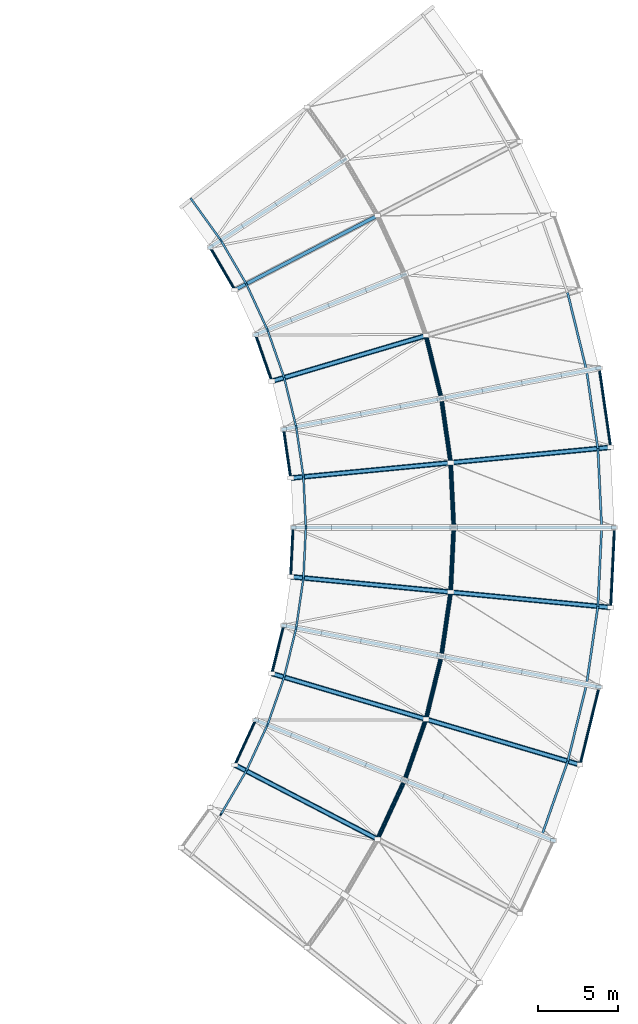
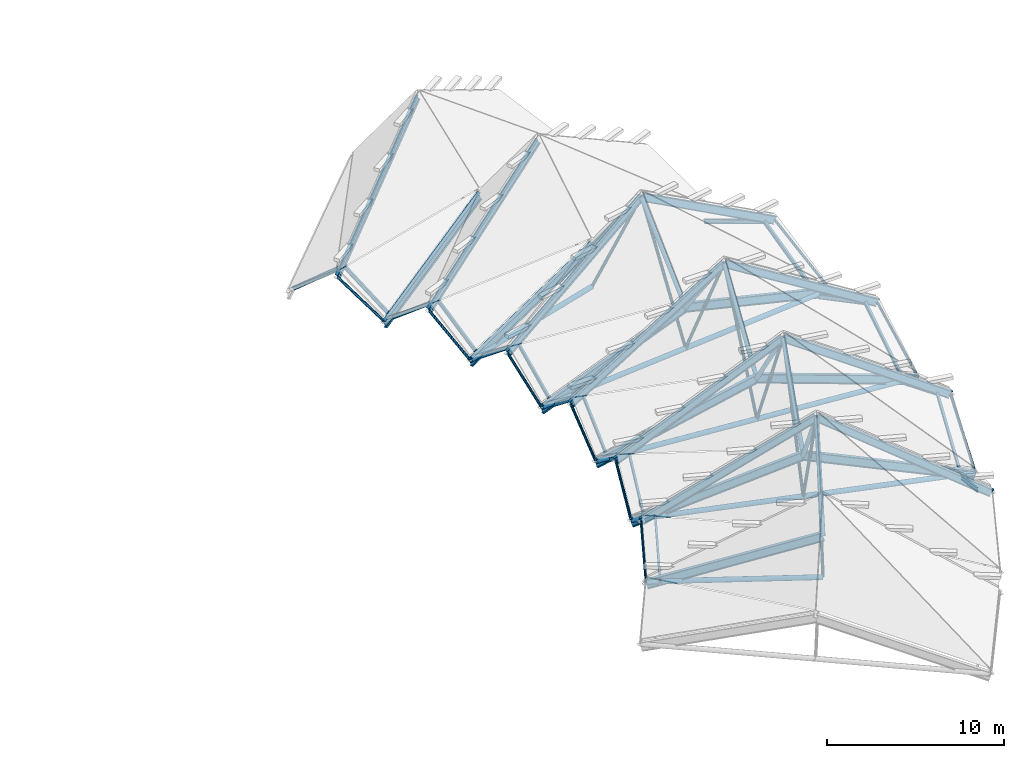
# One storey, part 3 of 10: 53 members, 19 beams.
"""IFC4 building model written with IfcOpenShell, lengths in metres."""

from ifc_helpers import new_model, si_unit, direction, frame, origin, origin_2d, place, context, subcontext, project, spatial, hollow_circle, i_section, extrude, material, material_profile, profile_set, type_object, element, save


model = new_model("IFC4")

# Units and contexts
model_context = context("Model", 3, precision=1e-05, world=origin(), true_north=direction((0.0, 1.0)))
body_context = subcontext(model_context, "Body", "Model", "MODEL_VIEW")
ifc_project = project(units=[si_unit("LENGTHUNIT", "METRE"), si_unit("AREAUNIT", "SQUARE_METRE"), si_unit("VOLUMEUNIT", "CUBIC_METRE"), si_unit("PLANEANGLEUNIT", "RADIAN"), si_unit("MASSUNIT", "GRAM", prefix="KILO")], contexts=[model_context])

# Site, building, storey
site_placement = place(None, origin())
site = spatial("IfcSite", under=ifc_project, at=site_placement, CompositionType="ELEMENT")
building_placement = place(site_placement, origin())
building = spatial("IfcBuilding", under=site, at=building_placement, Name="Vanh Quang Courtyard School", CompositionType="ELEMENT")
storey_placement = place(building_placement, frame((0.0, 0.0, 25.800048828125)))
storey = spatial("IfcBuildingStorey", under=building, at=storey_placement, Name="ROOF", CompositionType="ELEMENT", Elevation=25.800048828125)

# Beams
ifc_material = material(Name="Structural steel EN 10025-2 S355J2", Category="steel")
ifc_material_profile_1 = material_profile(ifc_material, i_section(OverallWidth=0.199951171875, OverallDepth=0.5, WebThickness=0.01025390625, FlangeThickness=0.01611328125, FilletRadius=0.02099609375, at=origin_2d()), Name="IPE 500")
ifc_profile_set_1 = profile_set([ifc_material_profile_1], Name="Structural steel EN 10025-2 S355J2")
beam_type_1 = type_object("IfcBeamType", Name="BM-STL-IPE500", PredefinedType="BEAM", material=ifc_profile_set_1)
beam_1_placement = place(storey_placement, frame((141.669921875, 44.0126953125, -13.880126953125), z_axis=(0.788005023179, -0.318380837761, 0.526955145711), x_axis=(0.374612806373, 0.927181344345, 0.0)))
element("IfcBeam", 1, at=beam_1_placement, inside=storey, type_object=beam_type_1, Name="Beam SB-03 (ROOF)", PredefinedType="BEAM", context=body_context, shape_type="SweptSolid", body=[
    extrude(i_section(OverallWidth=0.199951171875, OverallDepth=0.5, WebThickness=0.01025390625, FlangeThickness=0.01611328125, FilletRadius=0.02099609375, at=origin_2d()), origin(), (0.0, 0.0, 1.0), 11.76611328125),
])
beam_2_placement = place(storey_placement, frame((150.941650390625, 40.2666015625, -7.679931640625), z_axis=(0.788012888057, -0.318375632059, -0.526946529704), x_axis=(0.374604326638, 0.927184770401, 0.0)))
element("IfcBeam", 2, at=beam_2_placement, inside=storey, type_object=beam_type_1, Name="Beam SB-03 (ROOF)", PredefinedType="BEAM", context=body_context, shape_type="SweptSolid", body=[
    extrude(i_section(OverallWidth=0.199951171875, OverallDepth=0.5, WebThickness=0.01025390625, FlangeThickness=0.01611328125, FilletRadius=0.02099609375, at=origin_2d()), origin(), (0.0, 0.0, 1.0), 11.766357421875),
])
beam_3_placement = place(storey_placement, frame((143.412109375, 49.89404296875, -13.880126953125), z_axis=(0.834278959084, -0.162158083549, 0.526956710147), x_axis=(0.190798430308, 0.98162923703, 0.0)))
element("IfcBeam", 3, at=beam_3_placement, inside=storey, type_object=beam_type_1, Name="Beam SB-03 (ROOF)", PredefinedType="BEAM", context=body_context, shape_type="SweptSolid", body=[
    extrude(i_section(OverallWidth=0.199951171875, OverallDepth=0.5, WebThickness=0.01025390625, FlangeThickness=0.01611328125, FilletRadius=0.02099609375, at=origin_2d()), origin(), (0.0, 0.0, 1.0), 11.76611328125),
])
beam_4_placement = place(storey_placement, frame((153.228271484375, 47.986083984375, -7.679931640625), z_axis=(0.834282459153, -0.162175480022, -0.526945815078), x_axis=(0.190817382683, 0.981625553083, 0.0)))
element("IfcBeam", 4, at=beam_4_placement, inside=storey, type_object=beam_type_1, Name="Beam SB-03 (ROOF)", PredefinedType="BEAM", context=body_context, shape_type="SweptSolid", body=[
    extrude(i_section(OverallWidth=0.199951171875, OverallDepth=0.5, WebThickness=0.01025390625, FlangeThickness=0.01611328125, FilletRadius=0.02099609375, at=origin_2d()), origin(), (0.0, 0.0, 1.0), 11.766357421875),
])
for number, where, z_axis, x_axis, name in (
    (5, (144.0, 56.0, -13.880126953125), (0.849895257577, 0.0, 0.526951659214), (0.0, 1.0, 0.0), "Beam SB-03 (ROOF)"),
    (6, (154.0, 56.0, -7.679931640625), (0.849895257577, 0.0, -0.526951659214), (0.0, 1.0, 0.0), "Beam SB-03 (ROOF)"),
    (7, (143.412109375, 62.10595703125, -13.880126953125), (0.834278959084, 0.162158083549, 0.526956710147), (-0.190798430308, 0.98162923703, 0.0), "Beam SB-03 (ROOF)"),
):
    element("IfcBeam", number, at=place(storey_placement, frame(where, z_axis=z_axis, x_axis=x_axis)), inside=storey, type_object=beam_type_1, Name=name, PredefinedType="BEAM", context=body_context, shape_type="SweptSolid", body=[
        extrude(i_section(OverallWidth=0.199951171875, OverallDepth=0.5, WebThickness=0.01025390625, FlangeThickness=0.01611328125, FilletRadius=0.02099609375, at=origin_2d()), origin(), (0.0, 0.0, 1.0), 11.76611328125),
    ])
beam_5_placement = place(storey_placement, frame((153.228271484375, 64.013916015625, -7.679931640625), z_axis=(0.834282459153, 0.162175480022, -0.526945815078), x_axis=(-0.190817382683, 0.981625553083, 0.0)))
element("IfcBeam", 8, at=beam_5_placement, inside=storey, type_object=beam_type_1, Name="Beam SB-03 (ROOF)", PredefinedType="BEAM", context=body_context, shape_type="SweptSolid", body=[
    extrude(i_section(OverallWidth=0.199951171875, OverallDepth=0.5, WebThickness=0.01025390625, FlangeThickness=0.01611328125, FilletRadius=0.02099609375, at=origin_2d()), origin(), (0.0, 0.0, 1.0), 11.766357421875),
])
for number, where, z_axis, x_axis, name in (
    (9, (141.669921875, 67.9873046875, -13.880126953125), (0.788005023179, 0.318380837761, 0.526955145711), (-0.374612806373, 0.927181344345, 0.0), "Beam SB-03 (ROOF)"),
    (10, (138.83740234375, 73.428466796875, -13.880126953125), (0.712785525057, 0.462879002474, 0.526953341708), (-0.544631313678, 0.838675582189, 0.0), "Beam SB-03 (ROOF)"),
):
    element("IfcBeam", number, at=place(storey_placement, frame(where, z_axis=z_axis, x_axis=x_axis)), inside=storey, type_object=beam_type_1, Name=name, PredefinedType="BEAM", context=body_context, shape_type="SweptSolid", body=[
        extrude(i_section(OverallWidth=0.199951171875, OverallDepth=0.5, WebThickness=0.01025390625, FlangeThickness=0.01611328125, FilletRadius=0.02099609375, at=origin_2d()), origin(), (0.0, 0.0, 1.0), 11.76611328125),
    ])
ifc_material_profile_2 = material_profile(ifc_material, i_section(OverallWidth=0.219970703125, OverallDepth=0.60009765625, WebThickness=0.011962890625, FlangeThickness=0.01904296875, FilletRadius=0.02392578125, at=origin_2d()), Name="IPE 600")
ifc_profile_set_2 = profile_set([ifc_material_profile_2], Name="Structural steel EN 10025-2 S355J2")
beam_type_2 = type_object("IfcBeamType", Name="BM-STL-IPE600", PredefinedType="BEAM", material=ifc_profile_set_2)
beam_6_placement = place(storey_placement, frame((140.38427734375, 41.22412109375, -16.080078125), z_axis=(0.849604488458, -0.442270441765, 0.287348341797), x_axis=(0.461743963167, 0.887013253835, 0.0)))
element("IfcBeam", 11, at=beam_6_placement, inside=storey, type_object=beam_type_2, Name="Beam SB-01 (ROOF)", PredefinedType="BEAM", context=body_context, shape_type="SweptSolid", body=[
    extrude(i_section(OverallWidth=0.219970703125, OverallDepth=0.60009765625, WebThickness=0.011962890625, FlangeThickness=0.01904296875, FilletRadius=0.02392578125, at=origin_2d()), origin(), (0.0, 0.0, 1.0), 10.440185546875),
])
beam_7_placement = place(storey_placement, frame((142.68212890625, 46.91162109375, -16.080078125), z_axis=(0.918381194132, -0.272048857069, 0.2873419594), x_axis=(0.284026818135, 0.958816336208, 0.0)))
element("IfcBeam", 12, at=beam_7_placement, inside=storey, type_object=beam_type_2, Name="Beam SB-01 (ROOF)", PredefinedType="BEAM", context=body_context, shape_type="SweptSolid", body=[
    extrude(i_section(OverallWidth=0.219970703125, OverallDepth=0.60009765625, WebThickness=0.011962890625, FlangeThickness=0.01904296875, FilletRadius=0.02392578125, at=origin_2d()), origin(), (0.0, 0.0, 1.0), 10.4404296875),
])
for number, where, z_axis, x_axis, name in (
    (13, (152.2705078125, 44.0712890625, -13.080078125), (0.918383375034, -0.272033045649, -0.287349958303), (0.284011022093, 0.958821015273, 0.0), "Beam SB-01 (ROOF)"),
    (14, (143.852783203125, 52.932861328125, -16.080078125), (0.953417454921, -0.091784933177, 0.287351148759), (0.095826381468, 0.995398063397, 0.0), "Beam SB-01 (ROOF)"),
    (15, (153.806640625, 51.974609375, -13.080078125), (0.953415408287, -0.091808120795, -0.287350531923), (0.095850571558, 0.995395734335, 0.0), "Beam SB-01 (ROOF)"),
    (16, (143.852783203125, 59.067138671875, -16.080078125), (0.953417454921, 0.091784933177, 0.287351148759), (-0.095826381468, 0.995398063397, 0.0), "Beam SB-01 (ROOF)"),
    (17, (153.806640625, 60.025390625, -13.080078125), (0.953415408287, 0.091808120795, -0.287350531923), (-0.095850571558, 0.995395734335, 0.0), "Beam SB-01 (ROOF)"),
):
    element("IfcBeam", number, at=place(storey_placement, frame(where, z_axis=z_axis, x_axis=x_axis)), inside=storey, type_object=beam_type_2, Name=name, PredefinedType="BEAM", context=body_context, shape_type="SweptSolid", body=[
        extrude(i_section(OverallWidth=0.219970703125, OverallDepth=0.60009765625, WebThickness=0.011962890625, FlangeThickness=0.01904296875, FilletRadius=0.02392578125, at=origin_2d()), origin(), (0.0, 0.0, 1.0), 10.440185546875),
    ])
beam_8_placement = place(storey_placement, frame((142.68212890625, 65.08837890625, -16.080078125), z_axis=(0.918381194132, 0.272048857069, 0.2873419594), x_axis=(-0.284026818135, 0.958816336208, 0.0)))
element("IfcBeam", 18, at=beam_8_placement, inside=storey, type_object=beam_type_2, Name="Beam SB-01 (ROOF)", PredefinedType="BEAM", context=body_context, shape_type="SweptSolid", body=[
    extrude(i_section(OverallWidth=0.219970703125, OverallDepth=0.60009765625, WebThickness=0.011962890625, FlangeThickness=0.01904296875, FilletRadius=0.02392578125, at=origin_2d()), origin(), (0.0, 0.0, 1.0), 10.4404296875),
])
beam_9_placement = place(storey_placement, frame((140.38427734375, 70.77587890625, -16.080078125), z_axis=(0.849604488458, 0.442270441765, 0.287348341797), x_axis=(-0.461743963167, 0.887013253835, 0.0)))
element("IfcBeam", 19, at=beam_9_placement, inside=storey, type_object=beam_type_2, Name="Beam SB-01 (ROOF)", PredefinedType="BEAM", context=body_context, shape_type="SweptSolid", body=[
    extrude(i_section(OverallWidth=0.219970703125, OverallDepth=0.60009765625, WebThickness=0.011962890625, FlangeThickness=0.01904296875, FilletRadius=0.02392578125, at=origin_2d()), origin(), (0.0, 0.0, 1.0), 10.440185546875),
])

# Members
ifc_material_profile_3 = material_profile(ifc_material, hollow_circle(Radius=0.084228515625, WallThickness=0.008056640625, at=origin_2d()), Name="CHS 168.3x8")
ifc_profile_set_3 = profile_set([ifc_material_profile_3], Name="Structural steel EN 10025-2 S355J2")
member_type_1 = type_object("IfcMemberType", Name="MEM-BRC-CHS168", PredefinedType="BRACE", material=ifc_profile_set_3)
member_1_placement = place(storey_placement, frame((140.38427734375, 41.22412109375, -15.900146484375), z_axis=(0.349784980615, 0.758686678425, 0.549586200078), x_axis=(-0.908131508853, 0.41868503989, 0.0)))
element("IfcMember", 20, at=member_1_placement, inside=storey, type_object=member_type_1, Name="Structural Member MB-02 (ROOF)", PredefinedType="BRACE", context=body_context, shape_type="SweptSolid", body=[
    extrude(hollow_circle(Radius=0.084228515625, WallThickness=0.008056640625, at=origin_2d()), origin(), (0.0, 0.0, 1.0), 3.675537109375),
])
member_2_placement = place(storey_placement, frame((142.68212890625, 46.91162109375, -15.900146484375), z_axis=(0.198615276813, 0.811466294834, 0.549612976707), x_axis=(-0.971328046376, 0.237743194062, 0.0)))
element("IfcMember", 21, at=member_2_placement, inside=storey, type_object=member_type_1, Name="Structural Member MB-02 (ROOF)", PredefinedType="BRACE", context=body_context, shape_type="SweptSolid", body=[
    extrude(hollow_circle(Radius=0.084228515625, WallThickness=0.008056640625, at=origin_2d()), origin(), (0.0, 0.0, 1.0), 3.67529296875),
])
member_3_placement = place(storey_placement, frame((161.858642578125, 41.231201171875, -15.900146484375), z_axis=(0.22032683093, 0.900355752906, 0.375254054984), x_axis=(-0.971339285113, 0.237697272168, 0.0)))
element("IfcMember", 22, at=member_3_placement, inside=storey, type_object=member_type_1, Name="Structural Member MB-02 (ROOF)", PredefinedType="BRACE", context=body_context, shape_type="SweptSolid", body=[
    extrude(hollow_circle(Radius=0.084228515625, WallThickness=0.008056640625, at=origin_2d()), origin(), (0.0, 0.0, 1.0), 5.383056640625),
])
member_4_placement = place(storey_placement, frame((143.852783203125, 52.932861328125, -15.900146484375), z_axis=(0.040053259631, 0.834476120644, 0.549586517727), x_axis=(-0.998850078222, 0.04794289558, 0.0)))
element("IfcMember", 23, at=member_4_placement, inside=storey, type_object=member_type_1, Name="Structural Member MB-02 (ROOF)", PredefinedType="BRACE", context=body_context, shape_type="SweptSolid", body=[
    extrude(hollow_circle(Radius=0.084228515625, WallThickness=0.008056640625, at=origin_2d()), origin(), (0.0, 0.0, 1.0), 3.675537109375),
])
member_5_placement = place(storey_placement, frame((163.760498046875, 51.01611328125, -15.900146484375), z_axis=(0.044492068474, 0.925852279122, 0.375257262538), x_axis=(-0.998847342173, 0.04799986493, 0.0)))
element("IfcMember", 24, at=member_5_placement, inside=storey, type_object=member_type_1, Name="Structural Member MB-02 (ROOF)", PredefinedType="BRACE", context=body_context, shape_type="SweptSolid", body=[
    extrude(hollow_circle(Radius=0.084228515625, WallThickness=0.008056640625, at=origin_2d()), origin(), (0.0, 0.0, 1.0), 5.383056640625),
])
member_6_placement = place(storey_placement, frame((143.852783203125, 59.067138671875, -15.900146484375), z_axis=(-0.119895869388, 0.826783316496, 0.549594694359), x_axis=(-0.989648328, -0.143513716722, 0.0)))
element("IfcMember", 25, at=member_6_placement, inside=storey, type_object=member_type_1, Name="Structural Member MB-02 (ROOF)", PredefinedType="BRACE", context=body_context, shape_type="SweptSolid", body=[
    extrude(hollow_circle(Radius=0.084228515625, WallThickness=0.008056640625, at=origin_2d()), origin(), (0.0, 0.0, 1.0), 3.675537109375),
])
member_7_placement = place(storey_placement, frame((163.760498046875, 60.98388671875, -15.900146484375), z_axis=(-0.132972609808, 0.91733866937, 0.375243988252), x_axis=(-0.989656773828, -0.143455463532, 0.0)))
element("IfcMember", 26, at=member_7_placement, inside=storey, type_object=member_type_1, Name="Structural Member MB-02 (ROOF)", PredefinedType="BRACE", context=body_context, shape_type="SweptSolid", body=[
    extrude(hollow_circle(Radius=0.084228515625, WallThickness=0.008056640625, at=origin_2d()), origin(), (0.0, 0.0, 1.0), 5.38330078125),
])
for number, where, z_axis, x_axis, name in (
    (27, (142.68212890625, 65.08837890625, -15.900146484375), (-0.275397986198, 0.788730267274, 0.549600322674), (-0.944103532547, -0.329649085897, 0.0), "Structural Member MB-02 (ROOF)"),
    (28, (140.38427734375, 70.77587890625, -15.900146484375), (-0.420857626918, 0.72168846535, 0.549585859393), (-0.863845218035, -0.503757321811, 0.0), "Structural Member MB-02 (ROOF)"),
):
    element("IfcMember", number, at=place(storey_placement, frame(where, z_axis=z_axis, x_axis=x_axis)), inside=storey, type_object=member_type_1, Name=name, PredefinedType="BRACE", context=body_context, shape_type="SweptSolid", body=[
        extrude(hollow_circle(Radius=0.084228515625, WallThickness=0.008056640625, at=origin_2d()), origin(), (0.0, 0.0, 1.0), 3.675537109375),
    ])
ifc_material_profile_4 = material_profile(ifc_material, hollow_circle(Radius=0.096923828125, WallThickness=0.010009765625, at=origin_2d()), Name="CHS 193.7x10")
ifc_profile_set_4 = profile_set([ifc_material_profile_4], Name="Structural steel EN 10025-2 S355J2")
member_type_2 = type_object("IfcMemberType", Name="MEM-BRC-CHS193", PredefinedType="BRACE", material=ifc_profile_set_4)
for number, where, z_axis, x_axis, name in (
    (29, (149.25439453125, 36.606689453125, -15.900146484375), (0.184299171893, 0.399772664714, 0.897895111796), (-0.908141922232, 0.418662452441, 0.0), "Structural Member MB-01 (ROOF)"),
    (30, (152.2705078125, 44.0712890625, -15.900146484375), (-0.145151507453, -0.41558719312, 0.897896611419), (0.944073490245, -0.329735113411, 0.0), "Structural Member MB-01 (ROOF)"),
    (31, (152.2705078125, 44.0712890625, -15.900146484375), (0.104615935131, 0.427610634676, 0.897888997164), (-0.971352411821, 0.237643624046, 0.0), "Structural Member MB-01 (ROOF)"),
    (32, (153.806640625, 51.974609375, -15.900146484375), (-0.063174936481, -0.435664388893, 0.897889451798), (0.989649255601, -0.14350731998, 0.0), "Structural Member MB-01 (ROOF)"),
    (33, (153.806640625, 51.974609375, -15.900146484375), (0.02112074866, 0.439695585746, 0.897898494181), (-0.99884831516, 0.047979613392, 0.0), "Structural Member MB-01 (ROOF)"),
    (34, (153.806640625, 60.025390625, -15.900146484375), (0.02112074866, -0.439695585746, 0.897898494181), (0.99884831516, 0.047979613392, 0.0), "Structural Member MB-01 (ROOF)"),
    (35, (153.806640625, 60.025390625, -15.900146484375), (-0.063174936481, 0.435664388893, 0.897889451798), (-0.989649255601, -0.14350731998, 0.0), "Structural Member MB-01 (ROOF)"),
    (36, (152.2705078125, 67.9287109375, -15.900146484375), (0.104615935131, -0.427610634676, 0.897888997164), (0.971352411821, 0.237643624046, 0.0), "Structural Member MB-01 (ROOF)"),
):
    element("IfcMember", number, at=place(storey_placement, frame(where, z_axis=z_axis, x_axis=x_axis)), inside=storey, type_object=member_type_2, Name=name, PredefinedType="BRACE", context=body_context, shape_type="SweptSolid", body=[
        extrude(hollow_circle(Radius=0.096923828125, WallThickness=0.010009765625, at=origin_2d()), origin(), (0.0, 0.0, 1.0), 9.155029296875),
    ])
ifc_material_profile_5 = material_profile(ifc_material, hollow_circle(Radius=0.136474609375, WallThickness=0.012451171875, at=origin_2d()), Name="CHS 273x12.5")
ifc_profile_set_5 = profile_set([ifc_material_profile_5], Name="Structural steel EN 10025-2 S355J2")
member_type_3 = type_object("IfcMemberType", Name="MEM-CHD-CHS273", PredefinedType="CHORD", material=ifc_profile_set_5)
for number, where, z_axis, x_axis, name in (
    (37, (149.25439453125, 36.606689453125, -13.080078125), (0.250401482381, 0.543158533118, 0.801422426391), (-0.908141922232, 0.418662452441, 0.0), "Structural Member MC-02 (ROOF)"),
    (38, (150.941650390625, 40.2666015625, -7.679931640625), (0.197213061878, 0.564646032758, -0.801424897239), (-0.944073490245, 0.329735113411, 0.0), "Structural Member MC-02 (ROOF)"),
    (39, (152.2705078125, 44.0712890625, -13.080078125), (0.142137558476, 0.580977759409, 0.801412351753), (-0.971352411821, 0.237643624046, 0.0), "Structural Member MC-02 (ROOF)"),
    (40, (153.228271484375, 47.986083984375, -7.679931640625), (0.085833339474, 0.591920332204, -0.801413100815), (-0.989649255601, 0.14350731998, 0.0), "Structural Member MC-02 (ROOF)"),
):
    element("IfcMember", number, at=place(storey_placement, frame(where, z_axis=z_axis, x_axis=x_axis)), inside=storey, type_object=member_type_3, Name=name, PredefinedType="CHORD", context=body_context, shape_type="SweptSolid", body=[
        extrude(hollow_circle(Radius=0.136474609375, WallThickness=0.012451171875, at=origin_2d()), origin(), (0.0, 0.0, 1.0), 6.73828125),
    ])
for number, where, z_axis, x_axis, name in (
    (41, (153.806640625, 51.974609375, -13.080078125), (0.02869618769, 0.597402452812, 0.801427999378), (-0.99884831516, 0.047979613392, 0.0), "Structural Member MC-02 (ROOF)"),
    (42, (154.0, 56.0, -7.679931640625), (-0.02869618769, 0.597402452812, -0.801427999378), (-0.99884831516, -0.047979613392, 0.0), "Structural Member MC-02 (ROOF)"),
):
    element("IfcMember", number, at=place(storey_placement, frame(where, z_axis=z_axis, x_axis=x_axis)), inside=storey, type_object=member_type_3, Name=name, PredefinedType="CHORD", context=body_context, shape_type="SweptSolid", body=[
        extrude(hollow_circle(Radius=0.136474609375, WallThickness=0.012451171875, at=origin_2d()), origin(), (0.0, 0.0, 1.0), 6.738037109375),
    ])
for number, where, z_axis, x_axis, name in (
    (43, (153.806640625, 60.025390625, -13.080078125), (-0.085833339474, 0.591920332204, 0.801413100815), (-0.989649255601, -0.14350731998, 0.0), "Structural Member MC-02 (ROOF)"),
    (44, (153.228271484375, 64.013916015625, -7.679931640625), (-0.142137558476, 0.580977759409, -0.801412351753), (-0.971352411821, -0.237643624046, 0.0), "Structural Member MC-02 (ROOF)"),
):
    element("IfcMember", number, at=place(storey_placement, frame(where, z_axis=z_axis, x_axis=x_axis)), inside=storey, type_object=member_type_3, Name=name, PredefinedType="CHORD", context=body_context, shape_type="SweptSolid", body=[
        extrude(hollow_circle(Radius=0.136474609375, WallThickness=0.012451171875, at=origin_2d()), origin(), (0.0, 0.0, 1.0), 6.73828125),
    ])
ifc_material_profile_6 = material_profile(ifc_material, hollow_circle(Radius=0.161865234375, WallThickness=0.012451171875, at=origin_2d()), Name="CHS 323.9x12.5")
ifc_profile_set_6 = profile_set([ifc_material_profile_6], Name="Structural steel EN 10025-2 S355J2")
member_type_4 = type_object("IfcMemberType", Name="MEM-CHD-CHS323", PredefinedType="CHORD", material=ifc_profile_set_6)
member_8_placement = place(storey_placement, frame((140.38427734375, 41.22412109375, -15.900146484375), z_axis=(0.887013253835, -0.461743963167, 0.0), x_axis=(0.461743963167, 0.887013253835, 0.0)))
element("IfcMember", 45, at=member_8_placement, inside=storey, type_object=member_type_4, Name="Structural Member MC-01 (ROOF)", PredefinedType="CHORD", context=body_context, shape_type="SweptSolid", body=[
    extrude(hollow_circle(Radius=0.161865234375, WallThickness=0.012451171875, at=origin_2d()), origin(), (0.0, 0.0, 1.0), 10.0),
])
member_9_placement = place(storey_placement, frame((142.68212890625, 46.91162109375, -15.900146484375), z_axis=(0.958816336208, -0.284026818135, 0.0), x_axis=(0.284026818135, 0.958816336208, 0.0)))
element("IfcMember", 46, at=member_9_placement, inside=storey, type_object=member_type_4, Name="Structural Member MC-01 (ROOF)", PredefinedType="CHORD", context=body_context, shape_type="SweptSolid", body=[
    extrude(hollow_circle(Radius=0.161865234375, WallThickness=0.012451171875, at=origin_2d()), origin(), (0.0, 0.0, 1.0), 10.000244140625),
])
member_10_placement = place(storey_placement, frame((152.2705078125, 44.0712890625, -15.900146484375), z_axis=(0.958821015273, -0.284011022093, 0.0), x_axis=(0.284011022093, 0.958821015273, 0.0)))
element("IfcMember", 47, at=member_10_placement, inside=storey, type_object=member_type_4, Name="Structural Member MC-01 (ROOF)", PredefinedType="CHORD", context=body_context, shape_type="SweptSolid", body=[
    extrude(hollow_circle(Radius=0.161865234375, WallThickness=0.012451171875, at=origin_2d()), origin(), (0.0, 0.0, 1.0), 10.0),
])
member_11_placement = place(storey_placement, frame((143.852783203125, 52.932861328125, -15.900146484375), z_axis=(0.995398063397, -0.095826381468, 0.0), x_axis=(0.095826381468, 0.995398063397, 0.0)))
element("IfcMember", 48, at=member_11_placement, inside=storey, type_object=member_type_4, Name="Structural Member MC-01 (ROOF)", PredefinedType="CHORD", context=body_context, shape_type="SweptSolid", body=[
    extrude(hollow_circle(Radius=0.161865234375, WallThickness=0.012451171875, at=origin_2d()), origin(), (0.0, 0.0, 1.0), 9.999755859375),
])
member_12_placement = place(storey_placement, frame((153.806640625, 51.974609375, -15.900146484375), z_axis=(0.995395734335, -0.095850571558, 0.0), x_axis=(0.095850571558, 0.995395734335, 0.0)))
element("IfcMember", 49, at=member_12_placement, inside=storey, type_object=member_type_4, Name="Structural Member MC-01 (ROOF)", PredefinedType="CHORD", context=body_context, shape_type="SweptSolid", body=[
    extrude(hollow_circle(Radius=0.161865234375, WallThickness=0.012451171875, at=origin_2d()), origin(), (0.0, 0.0, 1.0), 10.0),
])
member_13_placement = place(storey_placement, frame((143.852783203125, 59.067138671875, -15.900146484375), z_axis=(0.995398063397, 0.095826381468, 0.0), x_axis=(-0.095826381468, 0.995398063397, 0.0)))
element("IfcMember", 50, at=member_13_placement, inside=storey, type_object=member_type_4, Name="Structural Member MC-01 (ROOF)", PredefinedType="CHORD", context=body_context, shape_type="SweptSolid", body=[
    extrude(hollow_circle(Radius=0.161865234375, WallThickness=0.012451171875, at=origin_2d()), origin(), (0.0, 0.0, 1.0), 9.999755859375),
])
member_14_placement = place(storey_placement, frame((153.806640625, 60.025390625, -15.900146484375), z_axis=(0.995395734335, 0.095850571558, 0.0), x_axis=(-0.095850571558, 0.995395734335, 0.0)))
element("IfcMember", 51, at=member_14_placement, inside=storey, type_object=member_type_4, Name="Structural Member MC-01 (ROOF)", PredefinedType="CHORD", context=body_context, shape_type="SweptSolid", body=[
    extrude(hollow_circle(Radius=0.161865234375, WallThickness=0.012451171875, at=origin_2d()), origin(), (0.0, 0.0, 1.0), 10.0),
])
member_15_placement = place(storey_placement, frame((142.68212890625, 65.08837890625, -15.900146484375), z_axis=(0.958816336208, 0.284026818135, 0.0), x_axis=(-0.284026818135, 0.958816336208, 0.0)))
element("IfcMember", 52, at=member_15_placement, inside=storey, type_object=member_type_4, Name="Structural Member MC-01 (ROOF)", PredefinedType="CHORD", context=body_context, shape_type="SweptSolid", body=[
    extrude(hollow_circle(Radius=0.161865234375, WallThickness=0.012451171875, at=origin_2d()), origin(), (0.0, 0.0, 1.0), 10.000244140625),
])
ifc_material_profile_7 = material_profile(ifc_material, i_section(OverallWidth=0.1201171875, OverallDepth=0.239990234375, WebThickness=0.006103515625, FlangeThickness=0.009765625, FilletRadius=0.014892578125, at=origin_2d()), Name="IPE 240")
ifc_profile_set_7 = profile_set([ifc_material_profile_7], Name="Structural steel EN 10025-2 S355J2")
member_type_5 = type_object("IfcMemberType", Name="MEM-PRL-IPE240", PredefinedType="PURLIN", material=ifc_profile_set_7)
member_16_placement = place(storey_placement, frame((139.50830078125, 38.135986328125, -13.60400390625), z_axis=(0.395982546328, 0.678870770341, -0.618330251711), x_axis=(-0.863792968491, 0.503846908877, 0.0)))
element("IfcMember", 53, at=member_16_placement, inside=storey, type_object=member_type_5, Name="Structural Member MP-01 (ROOF)", PredefinedType="PURLIN", context=body_context, shape_type="SweptSolid", body=[
    extrude(i_section(OverallWidth=0.1201171875, OverallDepth=0.239990234375, WebThickness=0.006103515625, FlangeThickness=0.009765625, FilletRadius=0.014892578125, at=origin_2d()), origin(), (0.0, 0.0, 1.0), 4.00439453125),
])
for number, where, z_axis, x_axis, name in (
    (54, (141.093994140625, 40.8544921875, -16.080078125), (0.329021125784, 0.713763079613, 0.618293914711), (-0.908156796232, 0.418630186989, 0.0), "Structural Member MP-01 (ROOF)"),
    (55, (142.41162109375, 43.712890625, -13.60400390625), (0.259100150979, 0.742001867663, -0.618304407349), (-0.944096347252, 0.329669663612, 0.0), "Structural Member MP-01 (ROOF)"),
    (56, (143.44921875, 46.684326171875, -16.080078125), (0.186857290771, 0.763401955964, 0.618305593147), (-0.971326198751, 0.237750742627, 0.0), "Structural Member MP-01 (ROOF)"),
    (57, (144.197509765625, 49.741455078125, -13.60400390625), (0.112725980491, 0.7778031688, -0.618316329986), (-0.98966043942, 0.14343017342, 0.0), "Structural Member MP-01 (ROOF)"),
    (58, (144.64892578125, 52.856201171875, -16.080078125), (0.037736855919, 0.785036338715, 0.618299180496), (-0.998846626286, 0.048014759779, 0.0), "Structural Member MP-01 (ROOF)"),
    (59, (144.800048828125, 56.0, -13.60400390625), (-0.037736855919, 0.785036338715, -0.618299180496), (-0.998846626286, -0.048014759779, 0.0), "Structural Member MP-01 (ROOF)"),
    (60, (144.64892578125, 59.143798828125, -16.080078125), (-0.112725980491, 0.7778031688, 0.618316329986), (-0.98966043942, -0.14343017342, 0.0), "Structural Member MP-01 (ROOF)"),
    (61, (144.197509765625, 62.258544921875, -13.60400390625), (-0.186857290771, 0.763401955964, -0.618305593147), (-0.971326198751, -0.237750742627, 0.0), "Structural Member MP-01 (ROOF)"),
    (62, (143.44921875, 65.315673828125, -16.080078125), (-0.259100150979, 0.742001867663, 0.618304407349), (-0.944096347252, -0.329669663612, 0.0), "Structural Member MP-01 (ROOF)"),
    (63, (142.41162109375, 68.287109375, -13.60400390625), (-0.329021125784, 0.713763079613, -0.618293914711), (-0.908156796232, -0.418630186989, 0.0), "Structural Member MP-01 (ROOF)"),
):
    element("IfcMember", number, at=place(storey_placement, frame(where, z_axis=z_axis, x_axis=x_axis)), inside=storey, type_object=member_type_5, Name=name, PredefinedType="PURLIN", context=body_context, shape_type="SweptSolid", body=[
        extrude(i_section(OverallWidth=0.1201171875, OverallDepth=0.239990234375, WebThickness=0.006103515625, FlangeThickness=0.009765625, FilletRadius=0.014892578125, at=origin_2d()), origin(), (0.0, 0.0, 1.0), 4.004638671875),
    ])
member_17_placement = place(storey_placement, frame((141.093994140625, 71.1455078125, -16.080078125), z_axis=(-0.395982546328, 0.678870770341, 0.618330251711), x_axis=(-0.863792968491, -0.503846908877, 0.0)))
element("IfcMember", 64, at=member_17_placement, inside=storey, type_object=member_type_5, Name="Structural Member MP-01 (ROOF)", PredefinedType="PURLIN", context=body_context, shape_type="SweptSolid", body=[
    extrude(i_section(OverallWidth=0.1201171875, OverallDepth=0.239990234375, WebThickness=0.006103515625, FlangeThickness=0.009765625, FilletRadius=0.014892578125, at=origin_2d()), origin(), (0.0, 0.0, 1.0), 4.00439453125),
])
member_18_placement = place(storey_placement, frame((139.50830078125, 73.864013671875, -13.60400390625), z_axis=(-0.459130084355, 0.6378805036, -0.618310624822), x_axis=(-0.811621139632, -0.58418415393, 0.0)))
element("IfcMember", 65, at=member_18_placement, inside=storey, type_object=member_type_5, Name="Structural Member MP-01 (ROOF)", PredefinedType="PURLIN", context=body_context, shape_type="SweptSolid", body=[
    extrude(i_section(OverallWidth=0.1201171875, OverallDepth=0.239990234375, WebThickness=0.006103515625, FlangeThickness=0.009765625, FilletRadius=0.014892578125, at=origin_2d()), origin(), (0.0, 0.0, 1.0), 4.004638671875),
])
ifc_material_profile_8 = material_profile(ifc_material, i_section(OverallWidth=0.135009765625, OverallDepth=0.27001953125, WebThickness=0.006591796875, FlangeThickness=0.01025390625, FilletRadius=0.014892578125, at=origin_2d()), Name="IPE 270")
ifc_profile_set_8 = profile_set([ifc_material_profile_8], Name="Structural steel EN 10025-2 S355J2")
member_type_6 = type_object("IfcMemberType", Name="MEM-PRL-IPE270", PredefinedType="PURLIN", material=ifc_profile_set_8)
member_19_placement = place(storey_placement, frame((159.4716796875, 36.8203125, -13.60400390625), z_axis=(0.294436344713, 0.843059785509, -0.45006381433), x_axis=(-0.944079717915, 0.32971728226, 0.0)))
element("IfcMember", 66, at=member_19_placement, inside=storey, type_object=member_type_6, Name="Structural Member MP-02 (ROOF)", PredefinedType="PURLIN", context=body_context, shape_type="SweptSolid", body=[
    extrude(i_section(OverallWidth=0.135009765625, OverallDepth=0.27001953125, WebThickness=0.006591796875, FlangeThickness=0.01025390625, FilletRadius=0.014892578125, at=origin_2d()), origin(), (0.0, 0.0, 1.0), 5.501708984375),
])
member_20_placement = place(storey_placement, frame((161.091552734375, 41.45849609375, -16.080078125), z_axis=(0.21225657129, 0.867398482634, 0.450074460804), x_axis=(-0.97134064448, 0.237691717106, 0.0)))
element("IfcMember", 67, at=member_20_placement, inside=storey, type_object=member_type_6, Name="Structural Member MP-02 (ROOF)", PredefinedType="PURLIN", context=body_context, shape_type="SweptSolid", body=[
    extrude(i_section(OverallWidth=0.135009765625, OverallDepth=0.27001953125, WebThickness=0.006591796875, FlangeThickness=0.01025390625, FilletRadius=0.014892578125, at=origin_2d()), origin(), (0.0, 0.0, 1.0), 5.50146484375),
])
member_21_placement = place(storey_placement, frame((162.25927734375, 46.23046875, -13.60400390625), z_axis=(0.128153483735, 0.883762043651, -0.450045925221), x_axis=(-0.989649146742, 0.143508070686, 0.0)))
element("IfcMember", 68, at=member_21_placement, inside=storey, type_object=member_type_6, Name="Structural Member MP-02 (ROOF)", PredefinedType="PURLIN", context=body_context, shape_type="SweptSolid", body=[
    extrude(i_section(OverallWidth=0.135009765625, OverallDepth=0.27001953125, WebThickness=0.006591796875, FlangeThickness=0.01025390625, FilletRadius=0.014892578125, at=origin_2d()), origin(), (0.0, 0.0, 1.0), 5.501708984375),
])
for number, where, z_axis, x_axis, name in (
    (69, (162.96435546875, 51.0927734375, -16.080078125), (0.042823323641, 0.891967673765, 0.450066474991), (-0.998849510827, 0.047954715321, 0.0), "Structural Member MP-02 (ROOF)"),
    (70, (163.199951171875, 56.0, -13.60400390625), (-0.042823323641, 0.891967673765, -0.450066474991), (-0.998849510827, -0.047954715321, 0.0), "Structural Member MP-02 (ROOF)"),
):
    element("IfcMember", number, at=place(storey_placement, frame(where, z_axis=z_axis, x_axis=x_axis)), inside=storey, type_object=member_type_6, Name=name, PredefinedType="PURLIN", context=body_context, shape_type="SweptSolid", body=[
        extrude(i_section(OverallWidth=0.135009765625, OverallDepth=0.27001953125, WebThickness=0.006591796875, FlangeThickness=0.01025390625, FilletRadius=0.014892578125, at=origin_2d()), origin(), (0.0, 0.0, 1.0), 5.50146484375),
    ])
member_22_placement = place(storey_placement, frame((162.96435546875, 60.9072265625, -16.080078125), z_axis=(-0.128153483735, 0.883762043651, 0.450045925221), x_axis=(-0.989649146742, -0.143508070686, 0.0)))
element("IfcMember", 71, at=member_22_placement, inside=storey, type_object=member_type_6, Name="Structural Member MP-02 (ROOF)", PredefinedType="PURLIN", context=body_context, shape_type="SweptSolid", body=[
    extrude(i_section(OverallWidth=0.135009765625, OverallDepth=0.27001953125, WebThickness=0.006591796875, FlangeThickness=0.01025390625, FilletRadius=0.014892578125, at=origin_2d()), origin(), (0.0, 0.0, 1.0), 5.501708984375),
])
member_23_placement = place(storey_placement, frame((162.25927734375, 65.76953125, -13.60400390625), z_axis=(-0.21225657129, 0.867398482634, -0.450074460804), x_axis=(-0.97134064448, -0.237691717106, 0.0)))
element("IfcMember", 72, at=member_23_placement, inside=storey, type_object=member_type_6, Name="Structural Member MP-02 (ROOF)", PredefinedType="PURLIN", context=body_context, shape_type="SweptSolid", body=[
    extrude(i_section(OverallWidth=0.135009765625, OverallDepth=0.27001953125, WebThickness=0.006591796875, FlangeThickness=0.01025390625, FilletRadius=0.014892578125, at=origin_2d()), origin(), (0.0, 0.0, 1.0), 5.50146484375),
])

save(model, "model.ifc")
